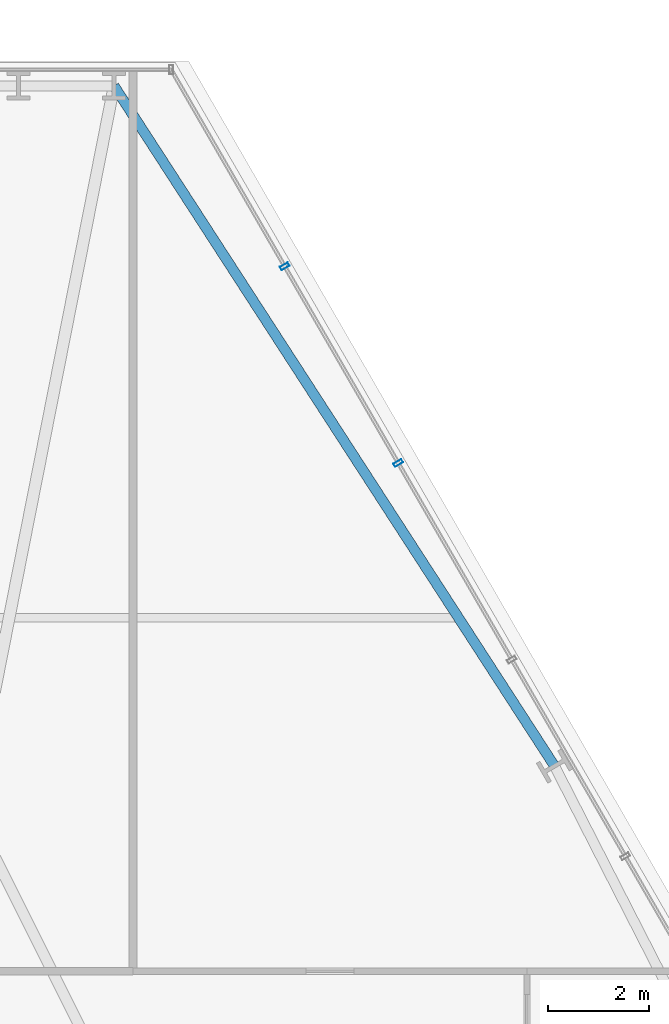
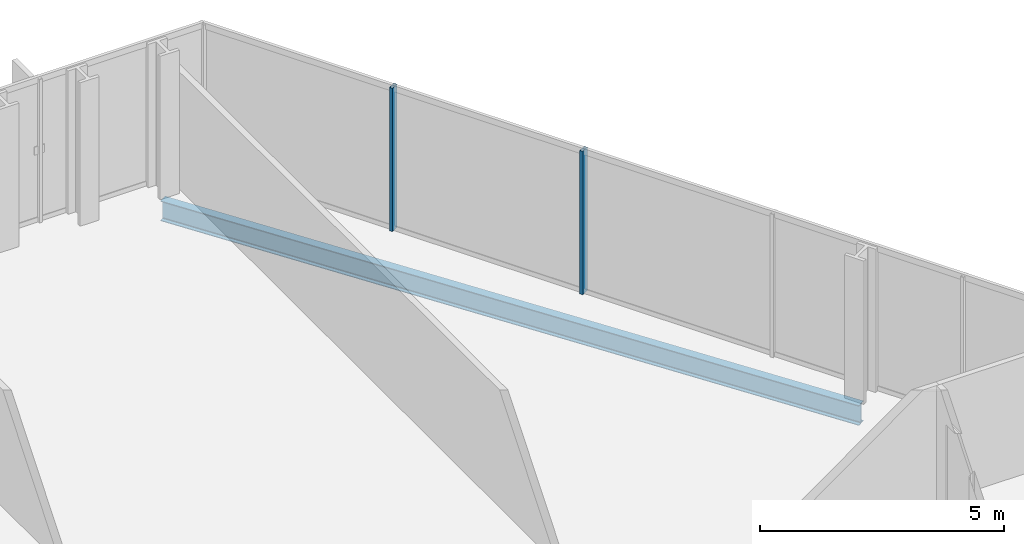
# One storey, part 24 of 32: 2 members, 1 beam, 1 element without a shape of its own.
"""IFC4 building model written with IfcOpenShell, lengths in metres."""

from ifc_helpers import new_model, si_unit, direction, frame, origin, origin_2d, place, context, subcontext, project, spatial, hollow_rectangle, i_section, extrude, material, layer, layer_set, material_profile, profile_set, type_object, element, aggregate, save


model = new_model("IFC4")

# Units and contexts
model_context = context("Model", 3, precision=1e-05, world=origin(), true_north=direction((0.0, 1.0)))
body_context = subcontext(model_context, "Body", "Model", "MODEL_VIEW")
ifc_project = project(units=[si_unit("LENGTHUNIT", "METRE"), si_unit("AREAUNIT", "SQUARE_METRE"), si_unit("VOLUMEUNIT", "CUBIC_METRE"), si_unit("PLANEANGLEUNIT", "RADIAN"), si_unit("MASSUNIT", "GRAM", prefix="KILO")], contexts=[model_context])

# Site, building, storey
site_placement = place(None, origin())
site = spatial("IfcSite", under=ifc_project, at=site_placement, CompositionType="ELEMENT")
building_placement = place(site_placement, origin())
building = spatial("IfcBuilding", under=site, at=building_placement, Name="Ndaravel Arena Tower", CompositionType="ELEMENT")
storey_placement = place(building_placement, frame((0.0, 0.0, 58.800048828125)))
storey = spatial("IfcBuildingStorey", under=building, at=storey_placement, Name="L12", CompositionType="ELEMENT", Elevation=58.800048828125)

# Beam
ifc_material_1 = material(Name="Steel S355", Category="steel")
ifc_material_profile_1 = material_profile(ifc_material_1, i_section(OverallWidth=0.199951171875, OverallDepth=0.5, WebThickness=0.01025390625, FlangeThickness=0.01611328125, FilletRadius=0.02099609375, at=origin_2d()), Name="IPE 500")
ifc_profile_set_1 = profile_set([ifc_material_profile_1], Name="Steel S355")
beam_type = type_object("IfcBeamType", Name="BM-SPAN-IPE500", PredefinedType="SPANDREL", material=ifc_profile_set_1)
beam_placement = place(storey_placement, frame((57.346435546875, 32.060791015625, -0.469970703125), z_axis=(-0.543579319439, 0.839357804204, 0.0), x_axis=(-0.839357804204, -0.543579319439, 0.0)))
element("IfcBeam", 1, at=beam_placement, inside=storey, type_object=beam_type, Name="L12 Perimeter Spandrel Beam SP-10", PredefinedType="SPANDREL", context=body_context, shape_type="SweptSolid", body=[
    extrude(i_section(OverallWidth=0.199951171875, OverallDepth=0.5, WebThickness=0.01025390625, FlangeThickness=0.01611328125, FilletRadius=0.02099609375, at=origin_2d()), origin(), (0.0, 0.0, 1.0), 16.04443359375),
])

# Curtain wall, members
ifc_material_2 = material(Name="Aluminium", Category="aluminium")
ifc_layer = layer(ifc_material_2, 0.179931640625)
ifc_layer_set = layer_set([ifc_layer], Name="Aluminium")
curtain_wall_type = type_object("IfcCurtainWallType", Name="CW-SYS-03", PredefinedType="NOTDEFINED", material=ifc_layer_set)
curtain_wall_placement = place(storey_placement, origin())
curtain_wall = element("IfcCurtainWall", 2, at=curtain_wall_placement, inside=storey, type_object=curtain_wall_type, Name="L12 Faceted Crystal Curtain Wall CW-L12-E03", PredefinedType="NOTDEFINED")
ifc_material_3 = material(Name="Aluminium", Category="aluminium")
ifc_material_profile_2 = material_profile(ifc_material_3, hollow_rectangle(XDim=0.074951171875, YDim=0.179931640625, WallThickness=0.00390625, at=origin_2d()), Name="CW MULLION 75x180x4")
ifc_profile_set_2 = profile_set([ifc_material_profile_2], Name="Aluminium")
member_type = type_object("IfcMemberType", Name="MEM-CW-MUL180", PredefinedType="MULLION", material=ifc_profile_set_2)
member_1_placement = place(storey_placement, frame((54.251708984375, 38.06103515625, 0.0), z_axis=(0.0, 0.0, 1.0), x_axis=(-0.5, 0.866025403784, 0.0)))
member_1 = element("IfcMember", 3, at=member_1_placement, type_object=member_type, Name="CW-L12-E03 Mullion 05", PredefinedType="MULLION", context=body_context, shape_type="SweptSolid", body=[
    extrude(hollow_rectangle(XDim=0.074951171875, YDim=0.179931640625, WallThickness=0.00390625, at=origin_2d()), origin(), (0.0, 0.0, 1.0), 3.579833984375),
])
member_2_placement = place(storey_placement, frame((52.00390625, 41.95458984375, 0.0), z_axis=(0.0, 0.0, 1.0), x_axis=(-0.5, 0.866025403784, 0.0)))
member_2 = element("IfcMember", 4, at=member_2_placement, type_object=member_type, Name="CW-L12-E03 Mullion 06", PredefinedType="MULLION", context=body_context, shape_type="SweptSolid", body=[
    extrude(hollow_rectangle(XDim=0.074951171875, YDim=0.179931640625, WallThickness=0.00390625, at=origin_2d()), origin(), (0.0, 0.0, 1.0), 3.579833984375),
])
aggregate(curtain_wall, [member_1, member_2])

save(model, "model.ifc")
